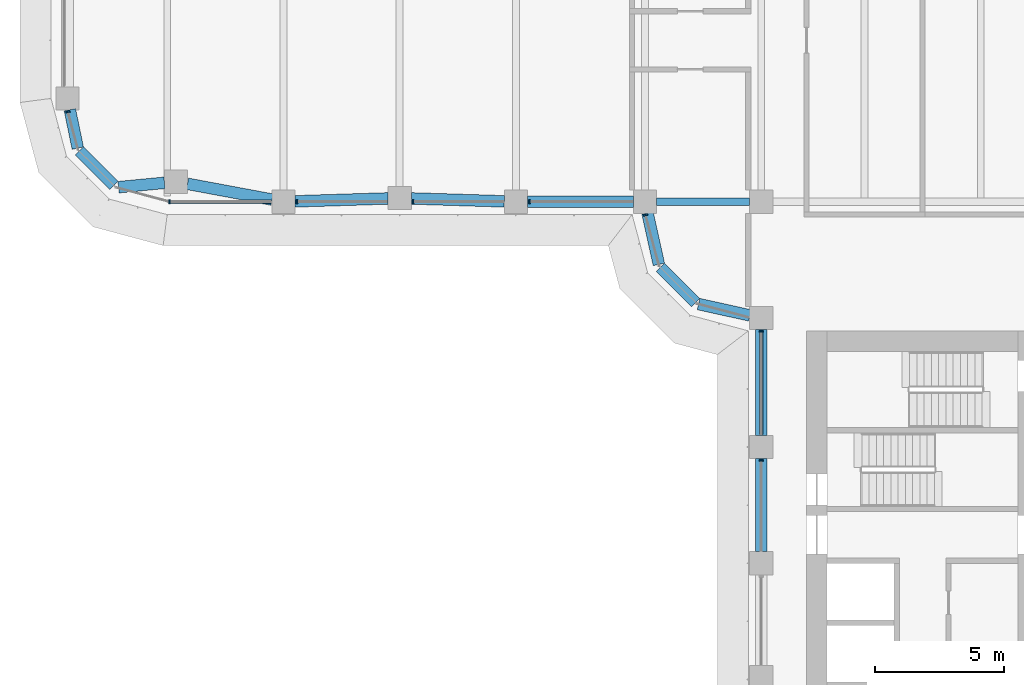
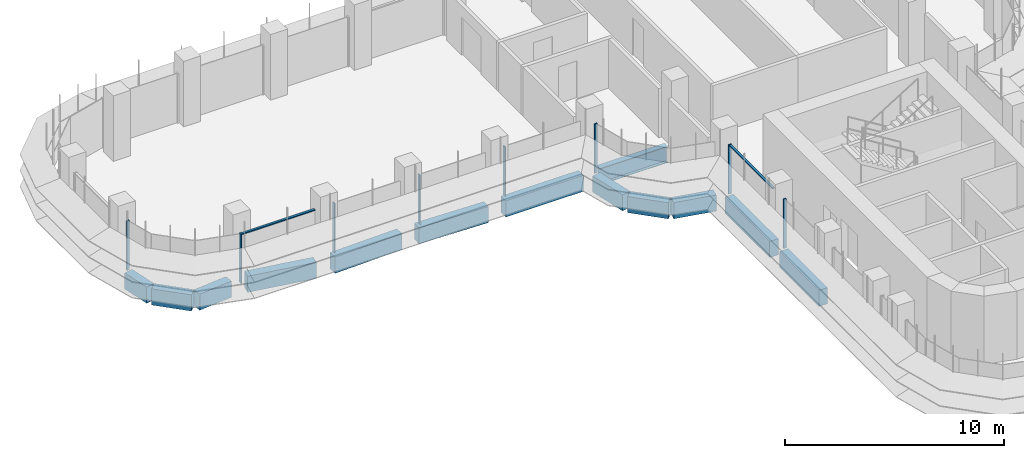
# One storey, part 3 of 21: 13 beams, 10 members, 4 elements without a shape of their own.
"""IFC4 building model written with IfcOpenShell, lengths in metres."""

from ifc_helpers import new_model, si_unit, direction, frame, origin, origin_2d, place, context, subcontext, project, spatial, polyline, rectangle, i_section, outline, extrude, source, transform, mapped, material, material_profile, profile_set, type_object, element, aggregate, save


model = new_model("IFC4")

# Units and contexts
model_context = context("Model", 3, precision=1e-05, world=origin(), true_north=direction((0.0, 1.0)))
body_context = subcontext(model_context, "Body", "Model", "MODEL_VIEW")
ifc_project = project(units=[si_unit("LENGTHUNIT", "METRE"), si_unit("AREAUNIT", "SQUARE_METRE"), si_unit("VOLUMEUNIT", "CUBIC_METRE"), si_unit("PLANEANGLEUNIT", "RADIAN"), si_unit("MASSUNIT", "GRAM", prefix="KILO")], contexts=[model_context])

# Site, building, storey
site_placement = place(None, origin())
site = spatial("IfcSite", under=ifc_project, at=site_placement, CompositionType="ELEMENT")
building_placement = place(site_placement, origin())
building = spatial("IfcBuilding", under=site, at=building_placement, Name="Zarbagh Exchange Tower", CompositionType="ELEMENT")
storey_placement = place(building_placement, frame((0.0, 0.0, 128.39990234375)))
storey = spatial("IfcBuildingStorey", under=building, at=storey_placement, Name="L30", CompositionType="ELEMENT", Elevation=128.39990234375)

# Beams
ifc_material_1 = material(Name="Steel ASTM A992 Gr 50", Category="steel")
ifc_material_profile_1 = material_profile(ifc_material_1, i_section(OverallWidth=0.3046875, OverallDepth=0.911865234375, WebThickness=0.015869140625, FlangeThickness=0.02392578125, at=origin_2d()), Name="W36X150")
ifc_profile_set_1 = profile_set([ifc_material_profile_1], Name="Steel ASTM A992 Gr 50")
beam_type_1 = type_object("IfcBeamType", Name="Floor girder W36X150", PredefinedType="BEAM", material=ifc_profile_set_1)
beam_1_placement = place(storey_placement, frame((-10.300048828125, -6.25, -0.605712890625), z_axis=(1.0, 0.0, 0.0), x_axis=(0.0, 1.0, 0.0)))
element("IfcBeam", 1, at=beam_1_placement, inside=storey, type_object=beam_type_1, Name="Steel girder", PredefinedType="BEAM", context=body_context, shape_type="SweptSolid", body=[
    extrude(i_section(OverallWidth=0.3046875, OverallDepth=0.911865234375, WebThickness=0.015869140625, FlangeThickness=0.02392578125, at=origin_2d()), origin(), (0.0, 0.0, 1.0), 3.60009765625),
])
ifc_material_2 = material(Name="Concrete C60/75", Category="concrete")
ifc_material_profile_2 = material_profile(ifc_material_2, rectangle(XDim=0.449951171875, YDim=0.89990234375, at=origin_2d()), Name="RC spandrel beam 450 x 900 C60/75")
ifc_profile_set_2 = profile_set([ifc_material_profile_2], Name="Concrete C60/75")
beam_type_2 = type_object("IfcBeamType", Name="RC spandrel beam 450 x 900 C60/75", PredefinedType="SPANDREL", material=ifc_profile_set_2)
beam_2_placement = place(storey_placement, frame((-6.25, -19.800048828125, -0.599853515625), z_axis=(0.0, 1.0, 0.0), x_axis=(-1.0, 0.0, 0.0)))
element("IfcBeam", 2, at=beam_2_placement, inside=storey, type_object=beam_type_2, Name="RC spandrel beam", PredefinedType="SPANDREL", context=body_context, shape_type="SweptSolid", body=[
    extrude(rectangle(XDim=0.449951171875, YDim=0.89990234375, at=origin_2d()), origin(), (0.0, 0.0, 1.0), 3.60009765625),
])
beam_3_placement = place(storey_placement, frame((-6.25, -15.300048828125, -0.599853515625), z_axis=(0.0, 1.0, 0.0), x_axis=(-1.0, 0.0, 0.0)))
element("IfcBeam", 3, at=beam_3_placement, inside=storey, type_object=beam_type_2, Name="RC spandrel beam", PredefinedType="SPANDREL", context=body_context, shape_type="SweptSolid", body=[
    extrude(rectangle(XDim=0.449951171875, YDim=0.89990234375, at=origin_2d()), origin(), (0.0, 0.0, 1.0), 4.10009765625),
])
beam_4_placement = place(storey_placement, frame((-6.689453125, -10.65283203125, -0.599853515625), z_axis=(-0.976367325525, 0.216117666208, 0.0), x_axis=(-0.216117666208, -0.976367325525, 0.0)))
element("IfcBeam", 4, at=beam_4_placement, inside=storey, type_object=beam_type_2, Name="RC spandrel beam", PredefinedType="SPANDREL", context=body_context, shape_type="SweptSolid", body=[
    extrude(rectangle(XDim=0.449951171875, YDim=0.89990234375, at=origin_2d()), origin(), (0.0, 0.0, 1.0), 2.03564453125),
])
beam_5_placement = place(storey_placement, frame((-8.78759765625, -10.15234375, -0.599853515625), z_axis=(-0.707106781187, 0.707106781187, 0.0), x_axis=(-0.707106781187, -0.707106781187, 0.0)))
element("IfcBeam", 5, at=beam_5_placement, inside=storey, type_object=beam_type_2, Name="RC spandrel beam", PredefinedType="SPANDREL", context=body_context, shape_type="SweptSolid", body=[
    extrude(rectangle(XDim=0.449951171875, YDim=0.89990234375, at=origin_2d()), origin(), (0.0, 0.0, 1.0), 1.929931640625),
])
beam_6_placement = place(storey_placement, frame((-10.212890625, -8.677001953125, -0.599853515625), z_axis=(-0.216117666208, 0.976367325525, 0.0), x_axis=(-0.976367325525, -0.216117666208, 0.0)))
element("IfcBeam", 6, at=beam_6_placement, inside=storey, type_object=beam_type_2, Name="RC spandrel beam", PredefinedType="SPANDREL", context=body_context, shape_type="SweptSolid", body=[
    extrude(rectangle(XDim=0.449951171875, YDim=0.89990234375, at=origin_2d()), origin(), (0.0, 0.0, 1.0), 2.03564453125),
])
beam_7_placement = place(storey_placement, frame((-11.199951171875, -6.25, -0.599853515625), z_axis=(-1.0, 0.0, 0.0), x_axis=(0.0, -1.0, 0.0)))
element("IfcBeam", 7, at=beam_7_placement, inside=storey, type_object=beam_type_2, Name="RC spandrel beam", PredefinedType="SPANDREL", context=body_context, shape_type="SweptSolid", body=[
    extrude(rectangle(XDim=0.449951171875, YDim=0.89990234375, at=origin_2d()), origin(), (0.0, 0.0, 1.0), 4.10009765625),
])
for number, where, z_axis, x_axis, name in (
    (8, (-16.19970703125, -6.236083984375, -0.599853515625), (-0.999516035224, 0.031107801747, 0.0), (-0.031107801747, -0.999516035224, 0.0), "RC spandrel beam"),
    (9, (-20.69970703125, -6.1240234375, -0.599853515625), (-0.999516035224, -0.031107801747, 0.0), (0.031107801747, -0.999516035224, 0.0), "RC spandrel beam"),
):
    element("IfcBeam", number, at=place(storey_placement, frame(where, z_axis=z_axis, x_axis=x_axis)), inside=storey, type_object=beam_type_2, Name=name, PredefinedType="SPANDREL", context=body_context, shape_type="SweptSolid", body=[
        extrude(rectangle(XDim=0.449951171875, YDim=0.89990234375, at=origin_2d()), origin(), (0.0, 0.0, 1.0), 3.602294921875),
    ])
beam_8_placement = place(storey_placement, frame((-25.1923828125, -6.16748046875, -0.599853515625), z_axis=(-0.98308156541, 0.183168326277, 0.0), x_axis=(-0.183168326277, -0.98308156541, 0.0)))
element("IfcBeam", 10, at=beam_8_placement, inside=storey, type_object=beam_type_2, Name="RC spandrel beam", PredefinedType="SPANDREL", context=body_context, shape_type="SweptSolid", body=[
    extrude(rectangle(XDim=0.449951171875, YDim=0.89990234375, at=origin_2d()), origin(), (0.0, 0.0, 1.0), 3.32958984375),
])
beam_9_placement = place(storey_placement, frame((-29.35595703125, -5.51806640625, -0.599853515625), z_axis=(-0.995433267802, -0.095459988228, 0.0), x_axis=(0.095459988228, -0.995433267802, 0.0)))
element("IfcBeam", 11, at=beam_9_placement, inside=storey, type_object=beam_type_2, Name="RC spandrel beam", PredefinedType="SPANDREL", context=body_context, shape_type="SweptSolid", body=[
    extrude(rectangle(XDim=0.449951171875, YDim=0.89990234375, at=origin_2d()), origin(), (0.0, 0.0, 1.0), 1.78759765625),
])
beam_10_placement = place(storey_placement, frame((-31.316162109375, -5.623779296875, -0.599853515625), z_axis=(-0.707106781187, 0.707106781187, 0.0), x_axis=(-0.707106781187, -0.707106781187, 0.0)))
element("IfcBeam", 12, at=beam_10_placement, inside=storey, type_object=beam_type_2, Name="RC spandrel beam", PredefinedType="SPANDREL", context=body_context, shape_type="SweptSolid", body=[
    extrude(rectangle(XDim=0.449951171875, YDim=0.89990234375, at=origin_2d()), origin(), (0.0, 0.0, 1.0), 1.887939453125),
])
beam_11_placement = place(storey_placement, frame((-32.71240234375, -4.17529296875, -0.599853515625), z_axis=(-0.202275417995, 0.979328675816, 0.0), x_axis=(-0.979328675816, -0.202275417995, 0.0)))
element("IfcBeam", 13, at=beam_11_placement, inside=storey, type_object=beam_type_2, Name="RC spandrel beam", PredefinedType="SPANDREL", context=body_context, shape_type="SweptSolid", body=[
    extrude(rectangle(XDim=0.449951171875, YDim=0.89990234375, at=origin_2d()), origin(), (0.0, 0.0, 1.0), 1.515869140625),
])

# Curtain wall, member
ifc_material_3 = material(Name="Anodised aluminium frame and glazing", Category="aluminium")
curtain_wall_type = type_object("IfcCurtainWallType", Name="CWA Ribbon glazing, lower zones", PredefinedType="NOTDEFINED", material=ifc_material_3)
curtain_wall_1_placement = place(storey_placement, origin())
curtain_wall_1 = element("IfcCurtainWall", 14, at=curtain_wall_1_placement, inside=storey, type_object=curtain_wall_type, Name="CWA37 curtain wall", PredefinedType="NOTDEFINED")
ifc_material_4 = material(Name="Anodised aluminium frame", Category="aluminium")
member_type_1 = type_object("IfcMemberType", Name="MUA Mullion, anodised aluminium frame", PredefinedType="MULLION", material=ifc_material_4)
shared_shape_1 = source(origin(), body_context, "Body", "SweptSolid", [
    extrude(outline(polyline([(0.0, -0.080078125), (0.06005859375, -0.080078125), (0.06005859375, 0.080078125), (0.0, 0.080078125), (0.0, -0.080078125)])), origin(), (0.0, 0.0, 1.0), 2.75),
])
placement = place(storey_placement, origin())
member_1 = element("IfcMember", 15, at=placement, type_object=member_type_1, Name="CWA37 mullion 1.1", PredefinedType="MULLION", context=body_context, shape_type="MappedRepresentation", body=[
    mapped(shared_shape_1, transform((-33.10107421875, -2.739990234375, 0.0), x_axis=(0.258824779902, -0.965924289636, 0.0), y_axis=(0.965924289636, 0.258824779902, 0.0), z_axis=(0.0, 0.0, 1.0))),
])
aggregate(curtain_wall_1, [member_1])

# Curtain wall, members
curtain_wall_2_placement = place(storey_placement, origin())
curtain_wall_2 = element("IfcCurtainWall", 16, at=curtain_wall_2_placement, inside=storey, type_object=curtain_wall_type, Name="CWA40 curtain wall", PredefinedType="NOTDEFINED")
member_2 = element("IfcMember", 17, at=placement, type_object=member_type_1, Name="CWA40 mullion 1.1", PredefinedType="MULLION", context=body_context, shape_type="MappedRepresentation", body=[
    mapped(shared_shape_1, transform((-29.18408203125, -6.25, 0.0), x_axis=(1.0, 0.0, 0.0), y_axis=(0.0, 1.0, 0.0), z_axis=(0.0, 0.0, 1.0))),
])
member_3 = element("IfcMember", 18, at=placement, type_object=member_type_1, Name="CWA40 mullion 2.1", PredefinedType="MULLION", context=body_context, shape_type="MappedRepresentation", body=[
    mapped(shared_shape_1, transform((-24.260009765625, -6.25, 0.0), x_axis=(1.0, 0.0, 0.0), y_axis=(0.0, 1.0, 0.0), z_axis=(0.0, 0.0, 1.0))),
])
member_4 = element("IfcMember", 19, at=placement, type_object=member_type_1, Name="CWA40 mullion 3.1", PredefinedType="MULLION", context=body_context, shape_type="MappedRepresentation", body=[
    mapped(shared_shape_1, transform((-19.760009765625, -6.25, 0.0), x_axis=(1.0, 0.0, 0.0), y_axis=(0.0, 1.0, 0.0), z_axis=(0.0, 0.0, 1.0))),
])
member_5 = element("IfcMember", 20, at=placement, type_object=member_type_1, Name="CWA40 mullion 4.1", PredefinedType="MULLION", context=body_context, shape_type="MappedRepresentation", body=[
    mapped(shared_shape_1, transform((-15.260009765625, -6.25, 0.0), x_axis=(1.0, 0.0, 0.0), y_axis=(0.0, 1.0, 0.0), z_axis=(0.0, 0.0, 1.0))),
])

# Curtain wall, member
curtain_wall_3_placement = place(storey_placement, origin())
curtain_wall_3 = element("IfcCurtainWall", 21, at=curtain_wall_3_placement, inside=storey, type_object=curtain_wall_type, Name="CWA41 curtain wall", PredefinedType="NOTDEFINED")
member_6 = element("IfcMember", 22, at=placement, type_object=member_type_1, Name="CWA41 mullion 1.1", PredefinedType="MULLION", context=body_context, shape_type="MappedRepresentation", body=[
    mapped(shared_shape_1, transform((-10.735107421875, -6.739990234375, 0.0), x_axis=(0.258824779902, -0.965924289636, 0.0), y_axis=(0.965924289636, 0.258824779902, 0.0), z_axis=(0.0, 0.0, 1.0))),
])
aggregate(curtain_wall_3, [member_6])

# Curtain wall, members
curtain_wall_4_placement = place(storey_placement, origin())
curtain_wall_4 = element("IfcCurtainWall", 23, at=curtain_wall_4_placement, inside=storey, type_object=curtain_wall_type, Name="CWA44 curtain wall", PredefinedType="NOTDEFINED")
member_7 = element("IfcMember", 24, at=placement, type_object=member_type_1, Name="CWA44 mullion 1.1", PredefinedType="MULLION", context=body_context, shape_type="MappedRepresentation", body=[
    mapped(shared_shape_1, transform((-6.25, -11.239990234375, 0.0), x_axis=(0.0, -1.0, 0.0), y_axis=(1.0, 0.0, 0.0), z_axis=(0.0, 0.0, 1.0))),
])
member_8 = element("IfcMember", 25, at=placement, type_object=member_type_1, Name="CWA44 mullion 2.1", PredefinedType="MULLION", context=body_context, shape_type="MappedRepresentation", body=[
    mapped(shared_shape_1, transform((-6.25, -16.239990234375, 0.0), x_axis=(0.0, -1.0, 0.0), y_axis=(1.0, 0.0, 0.0), z_axis=(0.0, 0.0, 1.0))),
])
member_type_2 = type_object("IfcMemberType", Name="TRA Transom, anodised aluminium frame", PredefinedType="USERDEFINED", material=ifc_material_4)
shared_shape_2 = source(origin(), body_context, "Body", "SweptSolid", [
    extrude(outline(polyline([(-0.06005859375, -0.06005859375), (0.0, -0.06005859375), (0.0, 0.06005859375), (-0.06005859375, 0.06005859375), (-0.06005859375, -0.06005859375)])), origin(), (0.0, 0.0, 1.0), 3.9599609375),
])
member_9 = element("IfcMember", 26, at=placement, type_object=member_type_2, Name="CWA44 transom 1.1", ObjectType="TRANSOM", PredefinedType="USERDEFINED", context=body_context, shape_type="MappedRepresentation", body=[
    mapped(shared_shape_2, transform((-6.25, -11.300048828125, 2.75), x_axis=(0.0, 0.0, 1.0), y_axis=(-1.0, 0.0, 0.0), z_axis=(0.0, -1.0, 0.0))),
])
aggregate(curtain_wall_4, [member_7, member_9, member_8])

# Member
shared_shape_3 = source(origin(), body_context, "Body", "SweptSolid", [
    extrude(outline(polyline([(-0.06005859375, -0.06005859375), (0.0, -0.06005859375), (0.0, 0.06005859375), (-0.06005859375, 0.06005859375), (-0.06005859375, -0.06005859375)])), origin(), (0.0, 0.0, 1.0), 3.88427734375),
])
member_10 = element("IfcMember", 27, at=placement, type_object=member_type_2, Name="CWA40 transom 1.1", ObjectType="TRANSOM", PredefinedType="USERDEFINED", context=body_context, shape_type="MappedRepresentation", body=[
    mapped(shared_shape_3, transform((-29.124267578125, -6.25, 2.75), x_axis=(0.0, 0.0, 1.0), y_axis=(0.0, -1.0, 0.0), z_axis=(1.0, 0.0, 0.0))),
])

aggregate(curtain_wall_2, [member_2, member_10, member_3, member_4, member_5])

save(model, "model.ifc")
